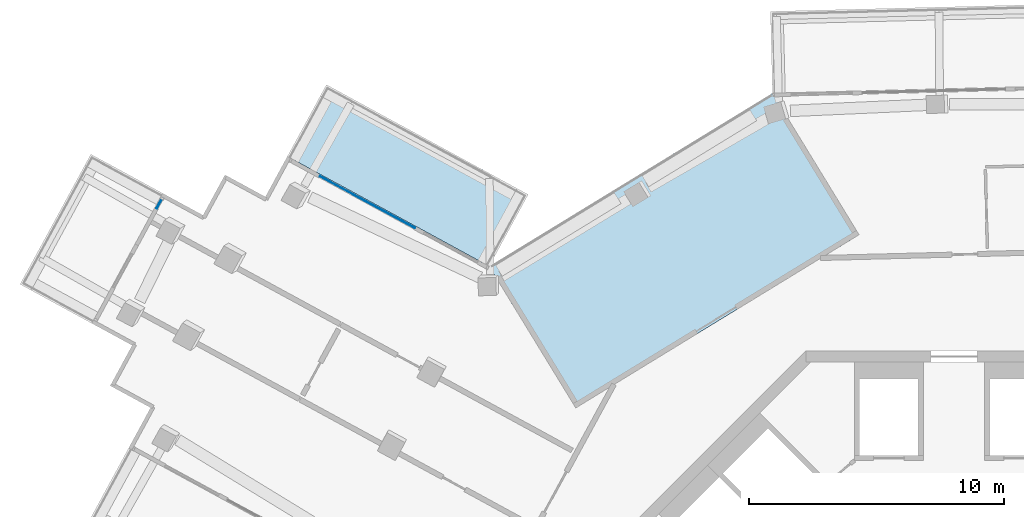
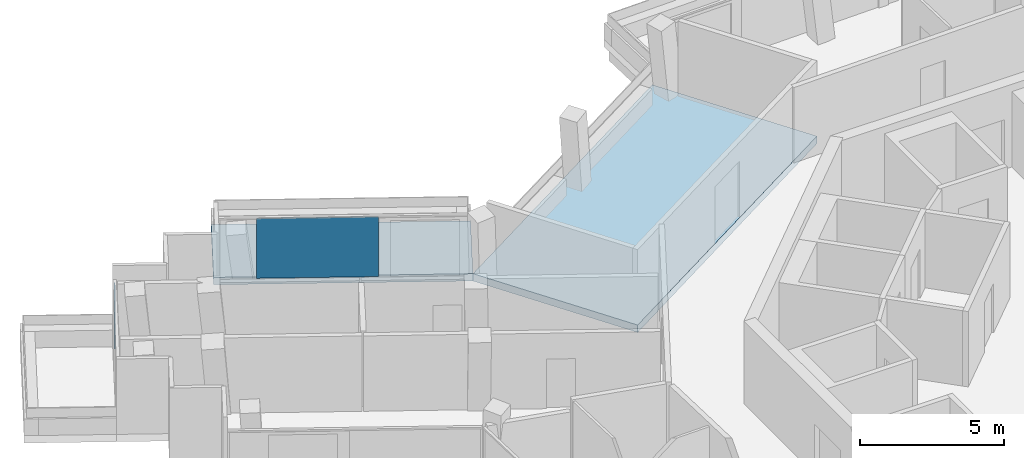
# One storey, part 14 of 26: 2 plates, 2 slabs, 2 elements without a shape of their own.
"""IFC4 building model written with IfcOpenShell, lengths in metres."""

import ifcopenshell
import ifcopenshell.guid

model = None  # the IFC model being written
_history = None  # IfcOwnerHistory: only IFC2X3 demands one
_inside = {}  # id of a spatial element -> (the spatial element, [elements in it])
_under = {}  # id of a project, library or spatial element -> (it, [spatial elements below it])
_declared = {}  # id of a project -> (the project, [libraries it declares])
_typed = {}  # id of a type object -> (the type object, [elements of that type])
_made_of = {}  # id of a material, layer set ... -> (it, [elements and type objects made of it])


def new_model(schema):
    """Start an empty IFC model of exactly this schema.

    Asked for "IFC4X3", IfcOpenShell would pick the latest addendum, in which some entities
    have other attributes; the version numbers below select the first issue.
    IFC2X3 requires an IfcOwnerHistory on every rooted entity: one is made here for all.
    """
    global model, _history
    if schema == "IFC4X3":
        model = ifcopenshell.file(schema_version=(4, 3, 0, 0))
    else:
        model = ifcopenshell.file(schema=schema)
    _inside.clear()
    _under.clear()
    _declared.clear()
    _typed.clear()
    _made_of.clear()
    _history = None
    if model.schema == "IFC2X3":
        org = make("IfcOrganization", Name="unknown")
        user = make(
            "IfcPersonAndOrganization",
            ThePerson=make("IfcPerson", FamilyName="unknown"),
            TheOrganization=org,
        )
        app = make(
            "IfcApplication",
            ApplicationDeveloper=org,
            Version="unknown",
            ApplicationFullName="unknown",
            ApplicationIdentifier="unknown",
        )
        _history = make(
            "IfcOwnerHistory",
            OwningUser=user,
            OwningApplication=app,
            ChangeAction="ADDED",
            CreationDate=0,
        )
    return model


def make(cls, **values):
    """One entity of the class cls with the attributes given. An attribute that is None is left unset."""
    return model.create_entity(
        cls, **{name: value for name, value in values.items() if value is not None}
    )


def rooted(cls, **values):
    """An entity with a GlobalId (a new one), such as an element, a storey or a relation."""
    return make(cls, GlobalId=ifcopenshell.guid.new(), OwnerHistory=_history, **values)


def si_unit(unit_type, name, prefix=None):
    """IfcSIUnit, for example si_unit("LENGTHUNIT", "METRE", prefix="MILLI")."""
    return make("IfcSIUnit", UnitType=unit_type, Prefix=prefix, Name=name)


def assignment(units):
    """IfcUnitAssignment: the units of a project."""
    return None if units is None else make("IfcUnitAssignment", Units=units)


def point(xyz):
    """IfcCartesianPoint."""
    return None if xyz is None else make("IfcCartesianPoint", Coordinates=xyz)


def direction(xyz):
    """IfcDirection."""
    return None if xyz is None else make("IfcDirection", DirectionRatios=xyz)


def frame(location, z_axis=None, x_axis=None):
    """IfcAxis2Placement3D, a coordinate frame: its origin and axes. An axis left out is left unset."""
    return make(
        "IfcAxis2Placement3D",
        Location=point(location),
        Axis=direction(z_axis),
        RefDirection=direction(x_axis),
    )


def frame_2d(location, x_axis=None):
    """IfcAxis2Placement2D, a coordinate frame in the plane: its origin and x axis."""
    return make(
        "IfcAxis2Placement2D", Location=point(location), RefDirection=direction(x_axis)
    )


def origin():
    """The frame at (0, 0, 0) with its axes left unset."""
    return frame((0.0, 0.0, 0.0))


def origin_2d():
    """The frame at (0, 0) in the plane with its x axis left unset."""
    return frame_2d((0.0, 0.0))


def place(relative_to, where):
    """IfcLocalPlacement: puts the frame where relative to a parent placement (None: the world)."""
    return make(
        "IfcLocalPlacement", PlacementRelTo=relative_to, RelativePlacement=where
    )


def context(
    kind, dimensions, precision=None, world=None, true_north=None, identifier=None
):
    """IfcGeometricRepresentationContext, for example the 3D "Model" context."""
    return make(
        "IfcGeometricRepresentationContext",
        ContextIdentifier=identifier,
        ContextType=kind,
        CoordinateSpaceDimension=dimensions,
        Precision=precision,
        WorldCoordinateSystem=world,
        TrueNorth=true_north,
    )


def subcontext(parent, identifier, kind, view, scale=None):
    """IfcGeometricRepresentationSubContext, for example "Body" below "Model"."""
    return make(
        "IfcGeometricRepresentationSubContext",
        ContextIdentifier=identifier,
        ContextType=kind,
        ParentContext=parent,
        TargetScale=scale,
        TargetView=view,
    )


def project(units=None, contexts=None):
    """IfcProject with its units and contexts."""
    return rooted(
        "IfcProject",
        Name="project",
        RepresentationContexts=contexts,
        UnitsInContext=assignment(units),
    )


def spatial(cls, under=None, at=None, **own):
    """A site, building, storey or space (cls), placed at a placement, below another one or the project."""
    s = rooted(cls, ObjectPlacement=at, **own)
    if under is not None:
        _under.setdefault(under.id(), (under, []))[1].append(s)
    return s


def polyline(points):
    """IfcPolyline through the points."""
    return make("IfcPolyline", Points=[point(p) for p in points])


def profile(cls, at=None, kind="AREA", **sizes):
    """A parametric profile (cls). Its sizes go by their IFC names, for example OverallWidth=200.0."""
    return make(cls, ProfileType=kind, Position=at, **sizes)


def rectangle(**sizes):
    """IfcRectangleProfileDef."""
    return profile("IfcRectangleProfileDef", **sizes)


def outline(outer, holes=None, kind="AREA"):
    """IfcArbitraryClosedProfileDef: a profile drawn as a closed curve; with holes, ...WithVoids."""
    if holes is None:
        return make("IfcArbitraryClosedProfileDef", ProfileType=kind, OuterCurve=outer)
    return make(
        "IfcArbitraryProfileDefWithVoids",
        ProfileType=kind,
        OuterCurve=outer,
        InnerCurves=holes,
    )


def extrude(swept, where, along, depth):
    """IfcExtrudedAreaSolid: the profile swept, set in the frame where, extruded along a direction by depth."""
    return make(
        "IfcExtrudedAreaSolid",
        SweptArea=swept,
        Position=where,
        ExtrudedDirection=direction(along),
        Depth=depth,
    )


def shape(context_of_items, identifier, shape_type, items):
    """IfcShapeRepresentation: the items that make up one representation, for example the "Body"."""
    return make(
        "IfcShapeRepresentation",
        ContextOfItems=context_of_items,
        RepresentationIdentifier=identifier,
        RepresentationType=shape_type,
        Items=items,
    )


def material(Name=None, Category=None):
    """IfcMaterial."""
    return make("IfcMaterial", Name=Name, Category=Category)


def layer(
    of_material, thickness, ventilated=None, Name=None, Category=None, Priority=None
):
    """IfcMaterialLayer: one layer of a wall or slab, of a material (None: an air gap)."""
    return make(
        "IfcMaterialLayer",
        Material=of_material,
        LayerThickness=thickness,
        IsVentilated=ventilated,
        Name=Name,
        Category=Category,
        Priority=Priority,
    )


def layer_set(layers, Name=None):
    """IfcMaterialLayerSet."""
    return make("IfcMaterialLayerSet", MaterialLayers=layers, LayerSetName=Name)


def made_of(thing, what):
    """Note that an element or type object is made of a material, layer set ...; save() writes the relation."""
    if what is not None:
        _made_of.setdefault(what.id(), (what, []))[1].append(thing)
    return thing


def type_object(cls, material=None, **own):
    """A type object (cls), such as IfcWallType, which elements share."""
    return made_of(rooted(cls, **own), material)


def element(
    cls,
    number,
    at=None,
    inside=None,
    cuts=None,
    type_object=None,
    material=None,
    context=None,
    identifier="Body",
    shape_type=None,
    held_by="IfcProductDefinitionShape",
    body=None,
    shapes=None,
    **own,
):
    """One element of the class cls, such as IfcWall. Its Tag is "e" and its number.

    at: its placement. inside: the storey or other place that contains it. cuts: it is an
    opening in that element (IfcRelVoidsElement). A single representation is given by context,
    identifier, shape_type and body (its items); several are given by shapes. held_by: the class
    of the entity that holds the representations. save() writes the other relations.
    """
    e = rooted(cls, Tag="e%d" % number, ObjectPlacement=at, **own)
    if body is not None:
        shapes = [shape(context, identifier, shape_type, body)]
    if shapes is not None:
        e.Representation = make(held_by, Representations=shapes)
    if inside is not None:
        _inside.setdefault(inside.id(), (inside, []))[1].append(e)
    if cuts is not None:
        rooted(
            "IfcRelVoidsElement", RelatingBuildingElement=cuts, RelatedOpeningElement=e
        )
    if type_object is not None:
        _typed.setdefault(type_object.id(), (type_object, []))[1].append(e)
    return made_of(e, material)


def aggregate(whole, parts):
    """IfcRelAggregates: a whole, such as a stair, and the parts it consists of."""
    return rooted("IfcRelAggregates", RelatingObject=whole, RelatedObjects=parts)


def save(model, path):
    """Write the relations noted so far, then the file.

    IfcRelAggregates (storeys below a building ...), IfcRelContainedInSpatialStructure (elements
    in a storey), IfcRelDefinesByType, IfcRelAssociatesMaterial and IfcRelDeclares: one each for
    every whole, place, type object, material and project.
    """
    for whole, parts in _under.values():
        aggregate(whole, parts)
    for where, things in _inside.values():
        rooted(
            "IfcRelContainedInSpatialStructure",
            RelatedElements=things,
            RelatingStructure=where,
        )
    for kind, things in _typed.values():
        rooted("IfcRelDefinesByType", RelatedObjects=things, RelatingType=kind)
    for what, things in _made_of.values():
        rooted("IfcRelAssociatesMaterial", RelatedObjects=things, RelatingMaterial=what)
    for by, libraries in _declared.values():
        rooted("IfcRelDeclares", RelatingContext=by, RelatedDefinitions=libraries)
    model.write(path)


model = new_model("IFC4")

# Units and contexts
model_context = context("Model", 3, precision=1e-05, world=origin(), true_north=direction((0.0, 1.0)))
body_context = subcontext(model_context, "Body", "Model", "MODEL_VIEW")
ifc_project = project(units=[si_unit("LENGTHUNIT", "METRE"), si_unit("AREAUNIT", "SQUARE_METRE"), si_unit("VOLUMEUNIT", "CUBIC_METRE"), si_unit("PLANEANGLEUNIT", "RADIAN"), si_unit("MASSUNIT", "GRAM", prefix="KILO")], contexts=[model_context])

# Site, building, storey
site_placement = place(None, origin())
site = spatial("IfcSite", under=ifc_project, at=site_placement, CompositionType="ELEMENT")
building_placement = place(site_placement, origin())
building = spatial("IfcBuilding", under=site, at=building_placement, Name="Verdalira Terraces Hotel", CompositionType="ELEMENT")
storey_placement = place(building_placement, frame((0.0, 0.0, 284.5)))
storey = spatial("IfcBuildingStorey", under=building, at=storey_placement, Name="L70", CompositionType="ELEMENT", Elevation=284.5)

# Slab
ifc_material_1 = material(Name="Precast concrete C40/50", Category="concrete")
ifc_layer_1 = layer(ifc_material_1, 0.31005859375)
ifc_layer_set_1 = layer_set([ifc_layer_1], Name="Balcony deck 310")
slab_type_1 = type_object("IfcSlabType", Name="Balcony deck 310", PredefinedType="FLOOR", material=ifc_layer_set_1)
slab_1_placement = place(storey_placement, frame((0.0, 0.0, -0.310059)))
element("IfcSlab", 1, at=slab_1_placement, inside=storey, type_object=slab_type_1, Name="Balcony deck", PredefinedType="FLOOR", context=body_context, shape_type="SweptSolid", body=[
    extrude(outline(polyline([(-24.570312, 24.417725), (-26.100098, 21.607178), (-18.198975, 17.306396), (-16.669189, 20.117188), (-24.570312, 24.417725)])), origin(), (0.0, 0.0, 1.0), 0.310059),
])

# Curtain wall, plate
ifc_material_2 = material(Name="Clear glass", Category="glass")
ifc_layer_2 = layer(ifc_material_2, 0.14990234375)
ifc_layer_set_2 = layer_set([ifc_layer_2], Name="CW2 curtain wall")
curtain_wall_type_1 = type_object("IfcCurtainWallType", Name="CW2 curtain wall", PredefinedType="NOTDEFINED", material=ifc_layer_set_2)
curtain_wall_1_placement = place(storey_placement, origin())
curtain_wall_1 = element("IfcCurtainWall", 2, at=curtain_wall_1_placement, inside=storey, type_object=curtain_wall_type_1, Name="CW2 curtain wall L70 edge 0", PredefinedType="NOTDEFINED")
ifc_material_3 = material(Name="Clear glass", Category="glass")
ifc_layer_3 = layer(ifc_material_3, 0.031982421875)
ifc_layer_set_3 = layer_set([ifc_layer_3], Name="CW2 glass unit 32")
plate_type_1 = type_object("IfcPlateType", Name="CW2 glass unit 32", PredefinedType="CURTAIN_PANEL", material=ifc_layer_set_3)
plate_1_placement = place(storey_placement, frame((-22.967041, 19.816406, 0.0), z_axis=(0.0, 0.0, 1.0), x_axis=(-0.878316951, 0.478078794, 0.0)))
plate_1 = element("IfcPlate", 3, at=plate_1_placement, type_object=plate_type_1, Name="CW2 glass unit", PredefinedType="CURTAIN_PANEL", context=body_context, shape_type="SweptSolid", body=[
    extrude(rectangle(XDim=4.23584, YDim=0.031982, at=origin_2d()), origin(), (0.0, 0.0, 1.0), 2.524902),
])
aggregate(curtain_wall_1, [plate_1])

ifc_material_4 = material(Name="Clear glass", Category="glass")
ifc_layer_4 = layer(ifc_material_4, 0.14990234375)
ifc_layer_set_4 = layer_set([ifc_layer_4], Name="CW3 curtain wall")
curtain_wall_type_2 = type_object("IfcCurtainWallType", Name="CW3 curtain wall", PredefinedType="NOTDEFINED", material=ifc_layer_set_4)
curtain_wall_2_placement = place(storey_placement, origin())
curtain_wall_2 = element("IfcCurtainWall", 4, at=curtain_wall_2_placement, inside=storey, type_object=curtain_wall_type_2, Name="CW3 curtain wall L70 edge 5", PredefinedType="NOTDEFINED")
ifc_material_5 = material(Name="Clear glass", Category="glass")
ifc_layer_5 = layer(ifc_material_5, 0.035888671875)
ifc_layer_set_5 = layer_set([ifc_layer_5], Name="CW3 glass unit 36")
plate_type_2 = type_object("IfcPlateType", Name="CW3 glass unit 36", PredefinedType="CURTAIN_PANEL", material=ifc_layer_set_5)
plate_2_placement = place(storey_placement, frame((-31.122803, 19.752686, 0.0), z_axis=(0.0, 0.0, 1.0), x_axis=(-0.478078794, -0.878316951, 0.0)))
plate_2 = element("IfcPlate", 5, at=plate_2_placement, type_object=plate_type_2, Name="CW3 glass unit", PredefinedType="CURTAIN_PANEL", context=body_context, shape_type="SweptSolid", body=[
    extrude(rectangle(XDim=0.399902, YDim=0.035889, at=origin_2d()), origin(), (0.0, 0.0, 1.0), 2.524902),
])
aggregate(curtain_wall_2, [plate_2])

# Slab
ifc_material_6 = material(Name="Concrete C40", Category="concrete")
ifc_layer_6 = layer(ifc_material_6, 0.31005859375)
ifc_layer_set_6 = layer_set([ifc_layer_6], Name="Loggia floor deck 310 C40")
slab_type_2 = type_object("IfcSlabType", Name="Loggia floor deck 310 C40", PredefinedType="FLOOR", material=ifc_layer_set_6)
slab_2_placement = place(storey_placement, frame((0.0, 0.0, -0.310059)))
element("IfcSlab", 6, at=slab_2_placement, inside=storey, type_object=slab_type_2, Name="Loggia deck L70", PredefinedType="FLOOR", context=body_context, shape_type="SweptSolid", body=[
    extrude(outline(polyline([(-3.717041, 18.541504), (-7.107666, 24.087402), (-18.198975, 17.306396), (-14.808594, 11.760742), (-3.717041, 18.541504)])), origin(), (0.0, 0.0, 1.0), 0.310059),
])

save(model, "model.ifc")
